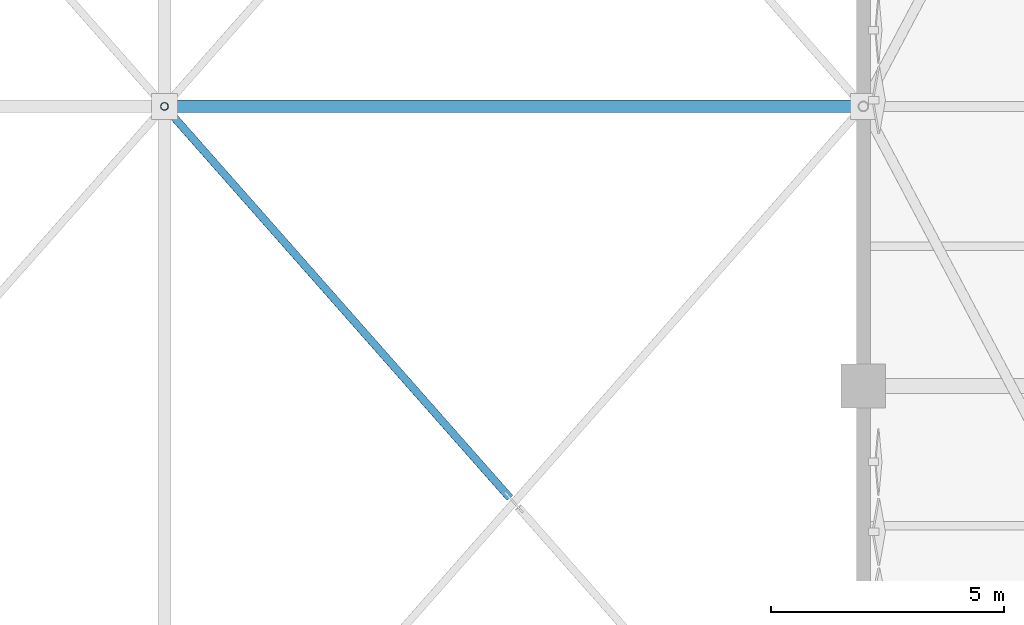
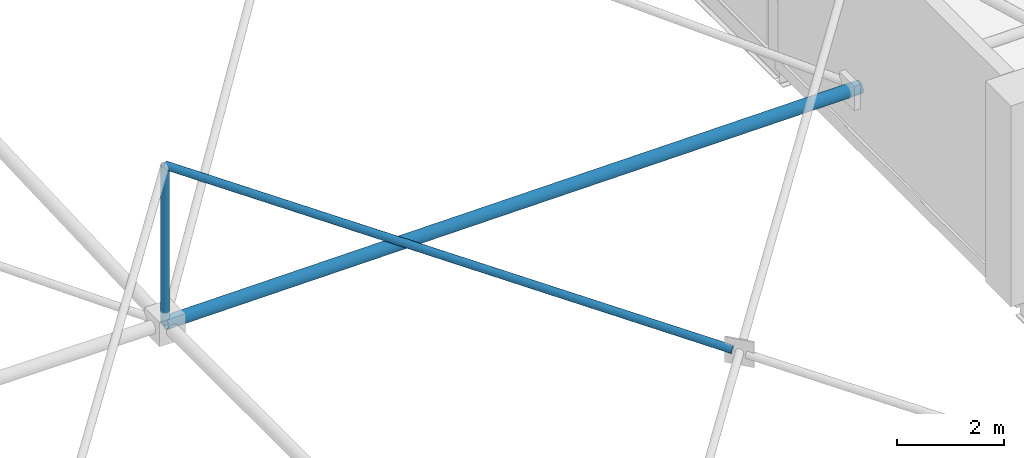
# One storey, part 105 of 224: 3 members.
"""IFC4 building model written with IfcOpenShell, lengths in metres."""

from ifc_helpers import new_model, si_unit, direction, frame, origin, origin_2d, place, context, subcontext, project, spatial, hollow_circle, extrude, material, material_profile, profile_set, type_object, element, save


model = new_model("IFC4")

# Units and contexts
model_context = context("Model", 3, precision=1e-05, world=origin(), true_north=direction((0.0, 1.0)))
body_context = subcontext(model_context, "Body", "Model", "MODEL_VIEW")
ifc_project = project(units=[si_unit("LENGTHUNIT", "METRE"), si_unit("AREAUNIT", "SQUARE_METRE"), si_unit("VOLUMEUNIT", "CUBIC_METRE"), si_unit("PLANEANGLEUNIT", "RADIAN"), si_unit("MASSUNIT", "GRAM", prefix="KILO")], contexts=[model_context])

# Site, building, storey
site_placement = place(None, origin())
site = spatial("IfcSite", under=ifc_project, at=site_placement, CompositionType="ELEMENT")
building_placement = place(site_placement, origin())
building = spatial("IfcBuilding", under=site, at=building_placement, Name="Qamarlyn Nura Convention Centre", CompositionType="ELEMENT")
storey_placement = place(building_placement, frame((0.0, 0.0, 10.800048828125)))
storey = spatial("IfcBuildingStorey", under=building, at=storey_placement, Name="L02", CompositionType="ELEMENT", Elevation=10.800048828125)

# Members
ifc_material = material(Name="Pearl-white PVDF steel ASTM A500 Grade C", Category="steel")
ifc_material_profile_1 = material_profile(ifc_material, hollow_circle(Radius=0.136474609375, WallThickness=0.012451171875, at=origin_2d()), Name="CHS273X12.5")
ifc_profile_set_1 = profile_set([ifc_material_profile_1], Name="Pearl-white PVDF steel ASTM A500 Grade C")
member_type_1 = type_object("IfcMemberType", Name="SF-BC-MAIN", PredefinedType="CHORD", material=ifc_profile_set_1)
member_1_placement = place(storey_placement, frame((105.0, 69.0, 0.80126953125), z_axis=(0.999958908574, 0.0, 0.009065382684), x_axis=(0.0, 1.0, 0.0)))
element("IfcMember", 1, at=member_1_placement, inside=storey, type_object=member_type_1, Name="ROOF TRUSS space frame bottom chord X9-5", PredefinedType="CHORD", context=body_context, shape_type="SweptSolid", body=[
    extrude(hollow_circle(Radius=0.136474609375, WallThickness=0.012451171875, at=origin_2d()), origin(), (0.0, 0.0, 1.0), 15.000732421875),
])
ifc_material_profile_2 = material_profile(ifc_material, hollow_circle(Radius=0.084228515625, WallThickness=0.008056640625, at=origin_2d()), Name="CHS168.3X8")
ifc_profile_set_2 = profile_set([ifc_material_profile_2], Name="Pearl-white PVDF steel ASTM A500 Grade C")
member_type_2 = type_object("IfcMemberType", Name="SF-WEB-STD", PredefinedType="BRACE", material=ifc_profile_set_2)
member_2_placement = place(storey_placement, frame((112.408447265625, 60.603759765625, 2.6904296875), z_axis=(-0.654030819615, 0.741234928897, 0.151044586715), x_axis=(-0.749837855365, -0.661621637087, 0.0)))
element("IfcMember", 2, at=member_2_placement, inside=storey, type_object=member_type_2, Name="ROOF TRUSS space frame split diagonal B2 9-4", PredefinedType="BRACE", context=body_context, shape_type="SweptSolid", body=[
    extrude(hollow_circle(Radius=0.084228515625, WallThickness=0.008056640625, at=origin_2d()), origin(), (0.0, 0.0, 1.0), 11.327392578125),
])
member_3_placement = place(storey_placement, frame((105.0, 69.0, 0.80126953125), z_axis=(0.0, 0.0, 1.0), x_axis=(1.0, 0.0, 0.0)))
element("IfcMember", 3, at=member_3_placement, inside=storey, type_object=member_type_2, Name="ROOF TRUSS space frame vertical 9-5", PredefinedType="BRACE", context=body_context, shape_type="SweptSolid", body=[
    extrude(hollow_circle(Radius=0.084228515625, WallThickness=0.008056640625, at=origin_2d()), origin(), (0.0, 0.0, 1.0), 3.60009765625),
])

save(model, "model.ifc")
